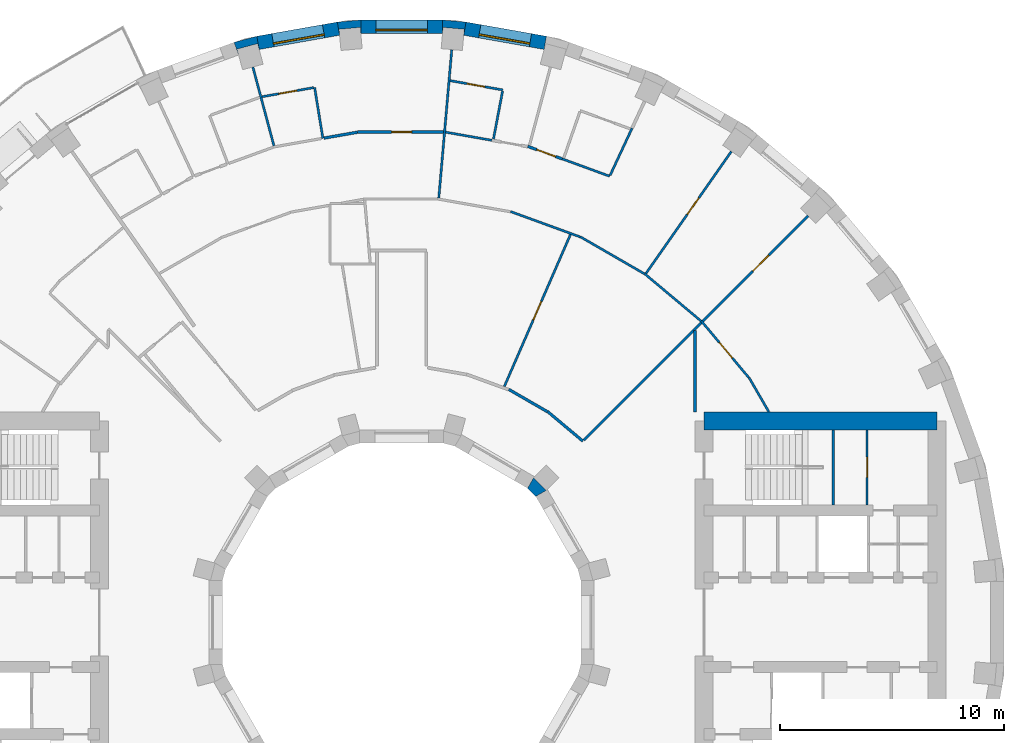
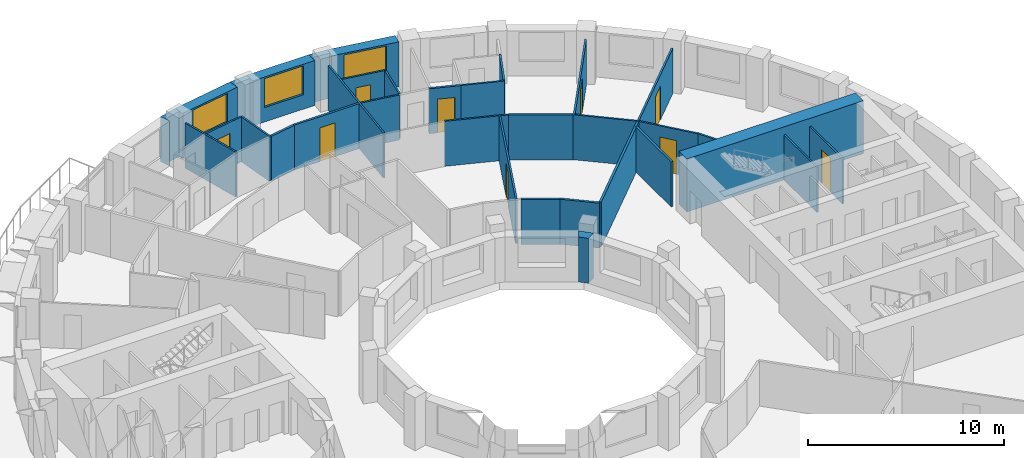
# One storey, part 12 of 14: 34 walls, 9 doors, 3 windows, 12 openings.
"""IFC4 building model written with IfcOpenShell, lengths in metres."""

from ifc_helpers import new_model, si_unit, direction, frame, frame_2d, origin, place, context, subcontext, project, spatial, polyline, rectangle, outline, extrude, material, layer, layer_set, type_object, element, fill, save


model = new_model("IFC4")

# Units and contexts
model_context = context("Model", 3, precision=1e-05, world=origin(), true_north=direction((0.0, 1.0)))
body_context = subcontext(model_context, "Body", "Model", "MODEL_VIEW")
ifc_project = project(units=[si_unit("LENGTHUNIT", "METRE"), si_unit("AREAUNIT", "SQUARE_METRE"), si_unit("VOLUMEUNIT", "CUBIC_METRE"), si_unit("PLANEANGLEUNIT", "RADIAN"), si_unit("MASSUNIT", "GRAM", prefix="KILO")], contexts=[model_context])

# Site, building, storey
site_placement = place(None, origin())
site = spatial("IfcSite", under=ifc_project, at=site_placement, CompositionType="ELEMENT")
building_placement = place(site_placement, origin())
building = spatial("IfcBuilding", under=site, at=building_placement, Name="Saqina Gate Tower", CompositionType="ELEMENT")
storey_placement = place(building_placement, frame((0.0, 0.0, 105.10009765625)))
storey = spatial("IfcBuildingStorey", under=building, at=storey_placement, Name="L29", CompositionType="ELEMENT", Elevation=105.10009765625)

# Walls
ifc_material_1 = material(Name="Brick masonry (buff)", Category="masonry")
wall_type_1 = type_object("IfcWallType", Name="BRICK PIER COPING BUFF", PredefinedType="SOLIDWALL", material=ifc_material_1)
wall_1_placement = place(storey_placement, origin())
element("IfcWall", 1, at=wall_1_placement, inside=storey, type_object=wall_type_1, Name="Pier cap L29 column 9", PredefinedType="SOLIDWALL", context=body_context, shape_type="SweptSolid", body=[
    extrude(outline(polyline([(2.87451171875, 26.805419921875), (1.823974609375, 26.897216796875), (1.823974609375, 26.29736328125), (1.847412109375, 26.565185546875), (2.793701171875, 26.482421875), (2.770263671875, 26.214599609375), (2.87451171875, 26.805419921875)])), origin(), (0.0, 0.0, 1.0), 2.7998046875),
])
wall_2_placement = place(storey_placement, origin())
element("IfcWall", 2, at=wall_2_placement, inside=storey, type_object=wall_type_1, Name="Pier cap L29 column 10", PredefinedType="SOLIDWALL", context=body_context, shape_type="SweptSolid", body=[
    extrude(outline(polyline([(-2.87451171875, 26.805419921875), (-2.770263671875, 26.214599609375), (-2.793701171875, 26.482421875), (-1.847412109375, 26.565185546875), (-1.823974609375, 26.29736328125), (-1.823974609375, 26.897216796875), (-2.87451171875, 26.805419921875)])), origin(), (0.0, 0.0, 1.0), 2.7998046875),
])
wall_3_placement = place(storey_placement, origin())
element("IfcWall", 3, at=wall_3_placement, inside=storey, type_object=wall_type_1, Name="Pier cap L29 column 11", PredefinedType="SOLIDWALL", context=body_context, shape_type="SweptSolid", body=[
    extrude(outline(polyline([(-6.466796875, 26.171875), (-7.485595703125, 25.89892578125), (-7.2802734375, 25.335205078125), (-7.349853515625, 25.5947265625), (-6.43212890625, 25.8408203125), (-6.36279296875, 25.5810546875), (-6.466796875, 26.171875)])), origin(), (0.0, 0.0, 1.0), 2.7998046875),
])

# Wall, opening, door
ifc_material_2 = material(Name="Gypsum board on steel studs", Category="steel")
ifc_layer_1 = layer(ifc_material_2, 0.10009765625)
ifc_layer_set_1 = layer_set([ifc_layer_1], Name="CORE PARTITION")
wall_type_2 = type_object("IfcWallType", Name="CORE PARTITION", PredefinedType="PARTITIONING", material=ifc_layer_set_1)
wall_4_placement = place(storey_placement, frame((20.782958984375, 5.25, 0.0), z_axis=(0.0, 0.0, 1.0), x_axis=(0.0, 1.0, 0.0)))
wall_4 = element("IfcWall", 4, at=wall_4_placement, inside=storey, type_object=wall_type_2, Name="L29-CP-E14", PredefinedType="PARTITIONING", context=body_context, shape_type="SweptSolid", body=[
    extrude(rectangle(XDim=3.35009765625, YDim=0.10009765625, at=frame_2d((1.675048828125, 0.0))), origin(), (0.0, 0.0, 1.0), 2.7998046875),
])
opening_1_placement = place(wall_4_placement, frame((1.22509765625, 0.0, 0.0)))
opening_1 = element("IfcOpeningElement", 5, at=opening_1_placement, cuts=wall_4, Name="Opening G08-D100", PredefinedType="OPENING", context=body_context, shape_type="SweptSolid", body=[
    extrude(rectangle(XDim=0.89990234375, YDim=2.10009765625, at=frame_2d((0.449951171875, 1.050048828125))), frame((0.0, 0.06201171875, 0.0), z_axis=(0.0, -1.0, 0.0), x_axis=(1.0, 0.0, 0.0)), (0.0, 0.0, 1.0), 0.1240234375),
])
ifc_material_3 = material(Name="Steel-framed fire door leaf, EI 60", Category="steel")
door_type_1 = type_object("IfcDoorType", Name="SERVICE ROOM DOOR 900", OperationType="SINGLE_SWING_LEFT", PredefinedType="DOOR", material=ifc_material_3)
door_1_placement = place(opening_1_placement, frame((0.89990234375, 0.0, 0.0), z_axis=(0.0, 0.0, 1.0), x_axis=(-1.0, 0.0, 0.0)))
door_1 = element("IfcDoor", 6, at=door_1_placement, inside=storey, type_object=door_type_1, Name="L29-CD-E11", OperationType="SINGLE_SWING_LEFT", OverallHeight=2.10009765625, OverallWidth=0.89990234375, PredefinedType="DOOR", context=body_context, shape_type="SweptSolid", body=[
    extrude(rectangle(XDim=0.89990234375, YDim=2.10009765625, at=frame_2d((0.449951171875, 1.050048828125))), frame((0.0, 0.02490234375, 0.0), z_axis=(0.0, -1.0, 0.0), x_axis=(1.0, 0.0, 0.0)), (0.0, 0.0, 1.0), 0.050048828125),
])
fill(opening_1, door_1)

# Wall, opening, window
ifc_material_4 = material(Name="Brick masonry (buff)", Category="masonry")
ifc_layer_2 = layer(ifc_material_4, 0.60009765625)
ifc_layer_set_2 = layer_set([ifc_layer_2], Name="FW-BRICK-BUFF")
wall_type_3 = type_object("IfcWallType", Name="FW-BRICK-BUFF", PredefinedType="SOLIDWALL", material=ifc_layer_set_2)
wall_5_placement = place(storey_placement, frame((6.414794921875, 25.87646484375, 0.0), z_axis=(0.0, 0.0, 1.0), x_axis=(-0.984803764455, 0.173670796382, 0.0)))
wall_5 = element("IfcWall", 7, at=wall_5_placement, inside=storey, type_object=wall_type_3, Name="Facade wall L29 facet 8", PredefinedType="SOLIDWALL", context=body_context, shape_type="SweptSolid", body=[
    extrude(rectangle(XDim=3.64794921875, YDim=0.60009765625, at=frame_2d((1.823974609375, 0.0))), origin(), (0.0, 0.0, 1.0), 2.7998046875),
])
opening_2_placement = place(wall_5_placement, frame((0.673828125, 0.0, 0.89990234375)))
opening_2 = element("IfcOpeningElement", 8, at=opening_2_placement, cuts=wall_5, Name="Opening G08-W06", PredefinedType="OPENING", context=body_context, shape_type="SweptSolid", body=[
    extrude(rectangle(XDim=2.300048828125, YDim=1.800048828125, at=frame_2d((1.14990234375, 0.89990234375))), frame((0.0, 0.31201171875, 0.0), z_axis=(0.0, -1.0, 0.0), x_axis=(1.0, 0.0, 0.0)), (0.0, 0.0, 1.0), 0.6240234375),
])
ifc_material_5 = material(Name="Aluminium glazing", Category="aluminium")
window_type = type_object("IfcWindowType", Name="WN-B", PartitioningType="SINGLE_PANEL", PredefinedType="WINDOW", material=ifc_material_5)
window_1_placement = place(opening_2_placement, origin())
window_1 = element("IfcWindow", 9, at=window_1_placement, inside=storey, type_object=window_type, Name="Window L29 facet 8", OverallHeight=1.800048828125, OverallWidth=2.300048828125, PartitioningType="SINGLE_PANEL", PredefinedType="WINDOW", context=body_context, shape_type="SweptSolid", body=[
    extrude(rectangle(XDim=2.300048828125, YDim=1.800048828125, at=frame_2d((1.14990234375, 0.89990234375))), frame((0.0, 0.179931640625, 0.0), z_axis=(0.0, -1.0, 0.0), x_axis=(1.0, 0.0, 0.0)), (0.0, 0.0, 1.0), 0.06005859375),
])
fill(opening_2, window_1)

wall_6_placement = place(storey_placement, frame((1.823974609375, 26.59716796875, 0.0), z_axis=(0.0, 0.0, 1.0), x_axis=(-1.0, 0.0, 0.0)))
wall_6 = element("IfcWall", 10, at=wall_6_placement, inside=storey, type_object=wall_type_3, Name="Facade wall L29 facet 9", PredefinedType="SOLIDWALL", context=body_context, shape_type="SweptSolid", body=[
    extrude(rectangle(XDim=3.64794921875, YDim=0.60009765625, at=frame_2d((1.823974609375, 0.0))), origin(), (0.0, 0.0, 1.0), 2.7998046875),
])
opening_3_placement = place(wall_6_placement, frame((0.673828125, 0.0, 0.89990234375)))
opening_3 = element("IfcOpeningElement", 11, at=opening_3_placement, cuts=wall_6, Name="Opening G08-W07", PredefinedType="OPENING", context=body_context, shape_type="SweptSolid", body=[
    extrude(rectangle(XDim=2.300048828125, YDim=1.800048828125, at=frame_2d((1.14990234375, 0.89990234375))), frame((0.0, 0.31201171875, 0.0), z_axis=(0.0, -1.0, 0.0), x_axis=(1.0, 0.0, 0.0)), (0.0, 0.0, 1.0), 0.6240234375),
])
window_2_placement = place(opening_3_placement, origin())
window_2 = element("IfcWindow", 12, at=window_2_placement, inside=storey, type_object=window_type, Name="Window L29 facet 9", OverallHeight=1.800048828125, OverallWidth=2.300048828125, PartitioningType="SINGLE_PANEL", PredefinedType="WINDOW", context=body_context, shape_type="SweptSolid", body=[
    extrude(rectangle(XDim=2.300048828125, YDim=1.800048828125, at=frame_2d((1.14990234375, 0.89990234375))), frame((0.0, 0.179931640625, 0.0), z_axis=(0.0, -1.0, 0.0), x_axis=(1.0, 0.0, 0.0)), (0.0, 0.0, 1.0), 0.06005859375),
])
fill(opening_3, window_2)

wall_7_placement = place(storey_placement, frame((-2.822265625, 26.510009765625, 0.0), z_axis=(0.0, 0.0, 1.0), x_axis=(-0.984803764455, -0.173670796382, 0.0)))
wall_7 = element("IfcWall", 13, at=wall_7_placement, inside=storey, type_object=wall_type_3, Name="Facade wall L29 facet 10", PredefinedType="SOLIDWALL", context=body_context, shape_type="SweptSolid", body=[
    extrude(rectangle(XDim=3.64794921875, YDim=0.60009765625, at=frame_2d((1.823974609375, 0.0))), origin(), (0.0, 0.0, 1.0), 2.7998046875),
])
opening_4_placement = place(wall_7_placement, frame((0.673828125, 0.0, 0.89990234375)))
opening_4 = element("IfcOpeningElement", 14, at=opening_4_placement, cuts=wall_7, Name="Opening G08-W08", PredefinedType="OPENING", context=body_context, shape_type="SweptSolid", body=[
    extrude(rectangle(XDim=2.300048828125, YDim=1.800048828125, at=frame_2d((1.14990234375, 0.89990234375))), frame((0.0, 0.31201171875, 0.0), z_axis=(0.0, -1.0, 0.0), x_axis=(1.0, 0.0, 0.0)), (0.0, 0.0, 1.0), 0.6240234375),
])
window_3_placement = place(opening_4_placement, origin())
window_3 = element("IfcWindow", 15, at=window_3_placement, inside=storey, type_object=window_type, Name="Window L29 facet 10", OverallHeight=1.800048828125, OverallWidth=2.300048828125, PartitioningType="SINGLE_PANEL", PredefinedType="WINDOW", context=body_context, shape_type="SweptSolid", body=[
    extrude(rectangle(XDim=2.300048828125, YDim=1.800048828125, at=frame_2d((1.14990234375, 0.89990234375))), frame((0.0, 0.179931640625, 0.0), z_axis=(0.0, -1.0, 0.0), x_axis=(1.0, 0.0, 0.0)), (0.0, 0.0, 1.0), 0.06005859375),
])
fill(opening_4, window_3)

# Walls
ifc_material_6 = material(Name="Gypsum board on steel studs, 100 mm", Category="steel")
ifc_layer_3 = layer(ifc_material_6, 0.10009765625)
ifc_layer_set_3 = layer_set([ifc_layer_3], Name="PARTITION 100")
wall_type_4 = type_object("IfcWallType", Name="PARTITION 100", PredefinedType="PARTITIONING", material=ifc_layer_set_3)
wall_8_placement = place(storey_placement, frame((-3.886962890625, 23.885009765625, 0.0), z_axis=(0.0, 0.0, 1.0), x_axis=(0.160403826344, -0.987051474085, 0.0)))
element("IfcWall", 16, at=wall_8_placement, inside=storey, type_object=wall_type_4, Name="PARTITION PW3-03", PredefinedType="PARTITIONING", context=body_context, shape_type="SweptSolid", body=[
    extrude(rectangle(XDim=2.2998046875, YDim=0.10009765625, at=frame_2d((1.14990234375, 0.0))), origin(), (0.0, 0.0, 1.0), 2.7998046875),
])
wall_9_placement = place(storey_placement, frame((-6.642333984375, 24.79052734375, 0.0), z_axis=(0.0, 0.0, 1.0), x_axis=(0.258373404153, -0.966045125254, 0.0)))
element("IfcWall", 17, at=wall_9_placement, inside=storey, type_object=wall_type_4, Name="PARTITION PW3-07", PredefinedType="PARTITIONING", context=body_context, shape_type="SweptSolid", body=[
    extrude(rectangle(XDim=3.634033203125, YDim=0.10009765625, at=frame_2d((1.81689453125, 0.0))), origin(), (0.0, 0.0, 1.0), 2.7998046875),
])
wall_10_placement = place(storey_placement, frame((15.5146484375, 10.925048828125, 0.0), z_axis=(0.0, 0.0, 1.0), x_axis=(0.500277597875, -0.865865073245, 0.0)))
element("IfcWall", 18, at=wall_10_placement, inside=storey, type_object=wall_type_4, Name="PARTITION PW3-16", PredefinedType="PARTITIONING", context=body_context, shape_type="SweptSolid", body=[
    extrude(rectangle(XDim=1.763671875, YDim=0.10009765625, at=frame_2d((0.8818359375, 0.0))), origin(), (0.0, 0.0, 1.0), 2.7998046875),
])

# Wall, opening, door
wall_11_placement = place(storey_placement, frame((13.38232421875, 13.453857421875, 0.0), z_axis=(0.0, 0.0, 1.0), x_axis=(0.642584306873, -0.766214988473, 0.0)))
wall_11 = element("IfcWall", 19, at=wall_11_placement, inside=storey, type_object=wall_type_4, Name="PARTITION PW3-20", PredefinedType="PARTITIONING", context=body_context, shape_type="SweptSolid", body=[
    extrude(rectangle(XDim=3.3076171875, YDim=0.10009765625, at=frame_2d((1.65380859375, 0.0))), origin(), (0.0, 0.0, 1.0), 2.7998046875),
])
opening_5_placement = place(wall_11_placement, frame((1.25439453125, 0.0, 0.0)))
opening_5 = element("IfcOpeningElement", 20, at=opening_5_placement, cuts=wall_11, Name="Opening G08-D01", PredefinedType="OPENING", context=body_context, shape_type="SweptSolid", body=[
    extrude(rectangle(XDim=0.89990234375, YDim=2.10009765625, at=frame_2d((0.449951171875, 1.050048828125))), frame((0.0, 0.06201171875, 0.0), z_axis=(0.0, -1.0, 0.0), x_axis=(1.0, 0.0, 0.0)), (0.0, 0.0, 1.0), 0.1240234375),
])
ifc_material_7 = material(Name="Timber door leaf, 900 mm", Category="wood")
door_type_2 = type_object("IfcDoorType", Name="DOOR 900 TIMBER", OperationType="SINGLE_SWING_LEFT", PredefinedType="DOOR", material=ifc_material_7)
door_2_placement = place(opening_5_placement, origin())
door_2 = element("IfcDoor", 21, at=door_2_placement, inside=storey, type_object=door_type_2, Name="DOOR G08-D01", OperationType="SINGLE_SWING_RIGHT", OverallHeight=2.10009765625, OverallWidth=0.89990234375, PredefinedType="DOOR", context=body_context, shape_type="SweptSolid", body=[
    extrude(rectangle(XDim=0.89990234375, YDim=2.10009765625, at=frame_2d((0.449951171875, 1.050048828125))), frame((0.0, 0.02490234375, 0.0), z_axis=(0.0, -1.0, 0.0), x_axis=(1.0, 0.0, 0.0)), (0.0, 0.0, 1.0), 0.050048828125),
])
fill(opening_5, door_2)

# Walls
wall_12_placement = place(storey_placement, frame((10.842041015625, 15.572509765625, 0.0), z_axis=(0.0, 0.0, 1.0), x_axis=(0.76624546285, -0.642547967595, 0.0)))
element("IfcWall", 22, at=wall_12_placement, inside=storey, type_object=wall_type_4, Name="PARTITION PW3-26", PredefinedType="PARTITIONING", context=body_context, shape_type="SweptSolid", body=[
    extrude(rectangle(XDim=3.307861328125, YDim=0.10009765625, at=frame_2d((1.65380859375, 0.0))), origin(), (0.0, 0.0, 1.0), 2.7998046875),
])
wall_13_placement = place(storey_placement, frame((7.97412109375, 17.219482421875, 0.0), z_axis=(0.0, 0.0, 1.0), x_axis=(0.865857256379, -0.500291126821, 0.0)))
element("IfcWall", 23, at=wall_13_placement, inside=storey, type_object=wall_type_4, Name="PARTITION PW3-31", PredefinedType="PARTITIONING", context=body_context, shape_type="SweptSolid", body=[
    extrude(rectangle(XDim=3.30712890625, YDim=0.10009765625, at=frame_2d((1.653564453125, 0.0))), origin(), (0.0, 0.0, 1.0), 2.7998046875),
])
wall_14_placement = place(storey_placement, frame((7.171630859375, 20.69482421875, 0.0), z_axis=(0.0, 0.0, 1.0), x_axis=(0.939171474452, -0.343448601069, 0.0)))
element("IfcWall", 24, at=wall_14_placement, inside=storey, type_object=wall_type_4, Name="PARTITION PW3-32", PredefinedType="PARTITIONING", context=body_context, shape_type="SweptSolid", body=[
    extrude(rectangle(XDim=2.251953125, YDim=0.10009765625, at=frame_2d((1.1259765625, 0.0))), origin(), (0.0, 0.0, 1.0), 2.7998046875),
])
wall_15_placement = place(storey_placement, frame((4.862548828125, 18.34375, 0.0), z_axis=(0.0, 0.0, 1.0), x_axis=(0.939551875713, -0.342406589955, 0.0)))
element("IfcWall", 25, at=wall_15_placement, inside=storey, type_object=wall_type_4, Name="PARTITION PW3-35", PredefinedType="PARTITIONING", context=body_context, shape_type="SweptSolid", body=[
    extrude(rectangle(XDim=3.308349609375, YDim=0.10009765625, at=frame_2d((1.654296875, 0.0))), origin(), (0.0, 0.0, 1.0), 2.7998046875),
])
wall_16_placement = place(storey_placement, frame((1.96533203125, 21.888427734375, 0.0), z_axis=(0.0, 0.0, 1.0), x_axis=(0.984784733711, -0.173778676048, 0.0)))
element("IfcWall", 26, at=wall_16_placement, inside=storey, type_object=wall_type_4, Name="PARTITION PW3-40", PredefinedType="PARTITIONING", context=body_context, shape_type="SweptSolid", body=[
    extrude(rectangle(XDim=2.091796875, YDim=0.10009765625, at=frame_2d((1.0458984375, 0.0))), origin(), (0.0, 0.0, 1.0), 2.7998046875),
])

# Wall, opening, door
wall_17_placement = place(storey_placement, frame((2.166259765625, 24.188232421875, 0.0), z_axis=(0.0, 0.0, 1.0), x_axis=(0.984810328334, -0.173633571655, 0.0)))
wall_17 = element("IfcWall", 27, at=wall_17_placement, inside=storey, type_object=wall_type_4, Name="PARTITION PW3-41", PredefinedType="PARTITIONING", context=body_context, shape_type="SweptSolid", body=[
    extrude(rectangle(XDim=2.385986328125, YDim=0.10009765625, at=frame_2d((1.19287109375, 0.0))), origin(), (0.0, 0.0, 1.0), 2.7998046875),
])
opening_6_placement = place(wall_17_placement, frame((0.76806640625, 0.0, 0.0)))
opening_6 = element("IfcOpeningElement", 28, at=opening_6_placement, cuts=wall_17, Name="Opening G08-D08", PredefinedType="OPENING", context=body_context, shape_type="SweptSolid", body=[
    extrude(rectangle(XDim=0.800048828125, YDim=2.10009765625, at=frame_2d((0.39990234375, 1.050048828125))), frame((0.0, 0.06201171875, 0.0), z_axis=(0.0, -1.0, 0.0), x_axis=(1.0, 0.0, 0.0)), (0.0, 0.0, 1.0), 0.1240234375),
])
ifc_material_8 = material(Name="Timber door leaf, 800 mm", Category="wood")
door_type_3 = type_object("IfcDoorType", Name="DOOR 800 TIMBER", OperationType="SINGLE_SWING_LEFT", PredefinedType="DOOR", material=ifc_material_8)
door_3_placement = place(opening_6_placement, origin())
door_3 = element("IfcDoor", 29, at=door_3_placement, inside=storey, type_object=door_type_3, Name="DOOR G08-D08", OperationType="SINGLE_SWING_LEFT", OverallHeight=2.10009765625, OverallWidth=0.800048828125, PredefinedType="DOOR", context=body_context, shape_type="SweptSolid", body=[
    extrude(rectangle(XDim=0.800048828125, YDim=2.10009765625, at=frame_2d((0.39990234375, 1.050048828125))), frame((0.0, 0.02490234375, 0.0), z_axis=(0.0, -1.0, 0.0), x_axis=(1.0, 0.0, 0.0)), (0.0, 0.0, 1.0), 0.050048828125),
])
fill(opening_6, door_3)

wall_18_placement = place(storey_placement, frame((-6.23779296875, 23.470703125, 0.0), z_axis=(0.0, 0.0, 1.0), x_axis=(0.984817208654, 0.173594543518, 0.0)))
wall_18 = element("IfcWall", 30, at=wall_18_placement, inside=storey, type_object=wall_type_4, Name="PARTITION PW3-53", PredefinedType="PARTITIONING", context=body_context, shape_type="SweptSolid", body=[
    extrude(rectangle(XDim=2.3359375, YDim=0.10009765625, at=frame_2d((1.16796875, 0.0))), origin(), (0.0, 0.0, 1.0), 2.7998046875),
])
opening_7_placement = place(wall_18_placement, frame((0.767578125, 0.0, 0.0)))
opening_7 = element("IfcOpeningElement", 31, at=opening_7_placement, cuts=wall_18, Name="Opening G08-D12", PredefinedType="OPENING", context=body_context, shape_type="SweptSolid", body=[
    extrude(rectangle(XDim=0.800048828125, YDim=2.10009765625, at=frame_2d((0.39990234375, 1.050048828125))), frame((0.0, 0.06201171875, 0.0), z_axis=(0.0, -1.0, 0.0), x_axis=(1.0, 0.0, 0.0)), (0.0, 0.0, 1.0), 0.1240234375),
])
door_4_placement = place(opening_7_placement, origin())
door_4 = element("IfcDoor", 32, at=door_4_placement, inside=storey, type_object=door_type_3, Name="DOOR G08-D12", OperationType="SINGLE_SWING_LEFT", OverallHeight=2.10009765625, OverallWidth=0.800048828125, PredefinedType="DOOR", context=body_context, shape_type="SweptSolid", body=[
    extrude(rectangle(XDim=0.800048828125, YDim=2.10009765625, at=frame_2d((0.39990234375, 1.050048828125))), frame((0.0, 0.02490234375, 0.0), z_axis=(0.0, -1.0, 0.0), x_axis=(1.0, 0.0, 0.0)), (0.0, 0.0, 1.0), 0.050048828125),
])
fill(opening_7, door_4)

wall_19_placement = place(storey_placement, frame((13.450439453125, 13.450439453125, 0.0), z_axis=(0.0, 0.0, 1.0), x_axis=(0.707106781187, 0.707106781187, 0.0)))
wall_19 = element("IfcWall", 33, at=wall_19_placement, inside=storey, type_object=wall_type_4, Name="PARTITION PW3-72", PredefinedType="PARTITIONING", context=body_context, shape_type="SweptSolid", body=[
    extrude(rectangle(XDim=6.643310546875, YDim=0.10009765625, at=frame_2d((3.32177734375, 0.0))), origin(), (0.0, 0.0, 1.0), 2.7998046875),
])
opening_8_placement = place(wall_19_placement, frame((3.163818359375, 0.0, 0.0)))
opening_8 = element("IfcOpeningElement", 34, at=opening_8_placement, cuts=wall_19, Name="Opening G08-D02", PredefinedType="OPENING", context=body_context, shape_type="SweptSolid", body=[
    extrude(rectangle(XDim=1.0, YDim=2.10009765625, at=frame_2d((0.5, 1.050048828125))), frame((0.0, 0.06201171875, 0.0), z_axis=(0.0, -1.0, 0.0), x_axis=(1.0, 0.0, 0.0)), (0.0, 0.0, 1.0), 0.1240234375),
])
ifc_material_9 = material(Name="Timber door leaf, 1000 mm", Category="wood")
door_type_4 = type_object("IfcDoorType", Name="DOOR 1000 TIMBER", OperationType="SINGLE_SWING_LEFT", PredefinedType="DOOR", material=ifc_material_9)
door_5_placement = place(opening_8_placement, frame((1.0, 0.0, 0.0), z_axis=(0.0, 0.0, 1.0), x_axis=(-1.0, 0.0, 0.0)))
door_5 = element("IfcDoor", 35, at=door_5_placement, inside=storey, type_object=door_type_4, Name="DOOR G08-D02", OperationType="SINGLE_SWING_LEFT", OverallHeight=2.10009765625, OverallWidth=1.0, PredefinedType="DOOR", context=body_context, shape_type="SweptSolid", body=[
    extrude(rectangle(XDim=1.0, YDim=2.10009765625, at=frame_2d((0.5, 1.050048828125))), frame((0.0, 0.02490234375, 0.0), z_axis=(0.0, -1.0, 0.0), x_axis=(1.0, 0.0, 0.0)), (0.0, 0.0, 1.0), 0.050048828125),
])
fill(opening_8, door_5)

wall_20_placement = place(storey_placement, frame((10.90966796875, 15.5810546875, 0.0), z_axis=(0.0, 0.0, 1.0), x_axis=(0.573558519574, 0.819164589459, 0.0)))
wall_20 = element("IfcWall", 36, at=wall_20_placement, inside=storey, type_object=wall_type_4, Name="PARTITION PW3-78", PredefinedType="PARTITIONING", context=body_context, shape_type="SweptSolid", body=[
    extrude(rectangle(XDim=6.64404296875, YDim=0.10009765625, at=frame_2d((3.322021484375, 0.0))), origin(), (0.0, 0.0, 1.0), 2.7998046875),
])
opening_9_placement = place(wall_20_placement, frame((3.214599609375, 0.0, 0.0)))
opening_9 = element("IfcOpeningElement", 37, at=opening_9_placement, cuts=wall_20, Name="Opening G08-D03", PredefinedType="OPENING", context=body_context, shape_type="SweptSolid", body=[
    extrude(rectangle(XDim=0.89990234375, YDim=2.10009765625, at=frame_2d((0.449951171875, 1.050048828125))), frame((0.0, 0.06201171875, 0.0), z_axis=(0.0, -1.0, 0.0), x_axis=(1.0, 0.0, 0.0)), (0.0, 0.0, 1.0), 0.1240234375),
])
door_6_placement = place(opening_9_placement, origin())
door_6 = element("IfcDoor", 38, at=door_6_placement, inside=storey, type_object=door_type_2, Name="DOOR G08-D03", OperationType="SINGLE_SWING_RIGHT", OverallHeight=2.10009765625, OverallWidth=0.89990234375, PredefinedType="DOOR", context=body_context, shape_type="SweptSolid", body=[
    extrude(rectangle(XDim=0.89990234375, YDim=2.10009765625, at=frame_2d((0.449951171875, 1.050048828125))), frame((0.0, 0.02490234375, 0.0), z_axis=(0.0, -1.0, 0.0), x_axis=(1.0, 0.0, 0.0)), (0.0, 0.0, 1.0), 0.050048828125),
])
fill(opening_9, door_6)

# Wall
wall_21_placement = place(storey_placement, frame((9.31103515625, 19.96630859375, 0.0), z_axis=(0.0, 0.0, 1.0), x_axis=(0.422300754366, 0.906455775458, 0.0)))
element("IfcWall", 39, at=wall_21_placement, inside=storey, type_object=wall_type_4, Name="PARTITION PW3-84", PredefinedType="PARTITIONING", context=body_context, shape_type="SweptSolid", body=[
    extrude(rectangle(XDim=2.30908203125, YDim=0.10009765625, at=frame_2d((1.154541015625, 0.0))), origin(), (0.0, 0.0, 1.0), 2.7998046875),
])

# Wall, opening, door
wall_22_placement = place(storey_placement, frame((4.583740234375, 10.529296875, 0.0), z_axis=(0.0, 0.0, 1.0), x_axis=(0.39900110087, 0.916950446592, 0.0)))
wall_22 = element("IfcWall", 40, at=wall_22_placement, inside=storey, type_object=wall_type_4, Name="PARTITION PW3-85", PredefinedType="PARTITIONING", context=body_context, shape_type="SweptSolid", body=[
    extrude(rectangle(XDim=7.4013671875, YDim=0.10009765625, at=frame_2d((3.70068359375, 0.0))), origin(), (0.0, 0.0, 1.0), 2.7998046875),
])
opening_10_placement = place(wall_22_placement, frame((3.243408203125, 0.0, 0.0)))
opening_10 = element("IfcOpeningElement", 41, at=opening_10_placement, cuts=wall_22, Name="Opening G08-D04", PredefinedType="OPENING", context=body_context, shape_type="SweptSolid", body=[
    extrude(rectangle(XDim=0.89990234375, YDim=2.10009765625, at=frame_2d((0.449951171875, 1.050048828125))), frame((0.0, 0.06201171875, 0.0), z_axis=(0.0, -1.0, 0.0), x_axis=(1.0, 0.0, 0.0)), (0.0, 0.0, 1.0), 0.1240234375),
])
door_7_placement = place(opening_10_placement, origin())
door_7 = element("IfcDoor", 42, at=door_7_placement, inside=storey, type_object=door_type_2, Name="DOOR G08-D04", OperationType="SINGLE_SWING_LEFT", OverallHeight=2.10009765625, OverallWidth=0.89990234375, PredefinedType="DOOR", context=body_context, shape_type="SweptSolid", body=[
    extrude(rectangle(XDim=0.89990234375, YDim=2.10009765625, at=frame_2d((0.449951171875, 1.050048828125))), frame((0.0, 0.02490234375, 0.0), z_axis=(0.0, -1.0, 0.0), x_axis=(1.0, 0.0, 0.0)), (0.0, 0.0, 1.0), 0.050048828125),
])
fill(opening_10, door_7)

# Walls
wall_23_placement = place(storey_placement, frame((4.0986328125, 21.575439453125, 0.0), z_axis=(0.0, 0.0, 1.0), x_axis=(0.186471082638, 0.982460449759, 0.0)))
element("IfcWall", 43, at=wall_23_placement, inside=storey, type_object=wall_type_4, Name="PARTITION PW3-91", PredefinedType="PARTITIONING", context=body_context, shape_type="SweptSolid", body=[
    extrude(rectangle(XDim=2.187744140625, YDim=0.10009765625, at=frame_2d((1.09375, 0.0))), origin(), (0.0, 0.0, 1.0), 2.7998046875),
])
wall_24_placement = place(storey_placement, frame((1.658447265625, 18.94873046875, 0.0), z_axis=(0.0, 0.0, 1.0), x_axis=(0.087052988713, 0.996203682565, 0.0)))
element("IfcWall", 44, at=wall_24_placement, inside=storey, type_object=wall_type_4, Name="PARTITION PW3-92", PredefinedType="PARTITIONING", context=body_context, shape_type="SweptSolid", body=[
    extrude(rectangle(XDim=6.643798828125, YDim=0.10009765625, at=frame_2d((3.32177734375, 0.0))), origin(), (0.0, 0.0, 1.0), 2.7998046875),
])
ifc_material_10 = material(Name="Gypsum board on steel studs, 125 mm, fire rated", Category="steel")
ifc_layer_4 = layer(ifc_material_10, 0.125)
ifc_layer_set_4 = layer_set([ifc_layer_4], Name="PARTITION EI 30 125")
wall_type_5 = type_object("IfcWallType", Name="PARTITION EI 30 125", PredefinedType="PARTITIONING", material=ifc_layer_set_4)
wall_25_placement = place(storey_placement, frame((6.515380859375, 9.414794921875, 0.0), z_axis=(0.0, 0.0, 1.0), x_axis=(0.766097328455, -0.642724578131, 0.0)))
element("IfcWall", 45, at=wall_25_placement, inside=storey, type_object=wall_type_5, Name="PARTITION PW1-14", PredefinedType="PARTITIONING", context=body_context, shape_type="SweptSolid", body=[
    extrude(rectangle(XDim=2.05810546875, YDim=0.125, at=frame_2d((1.029052734375, 0.0))), origin(), (0.0, 0.0, 1.0), 2.7998046875),
])
wall_26_placement = place(storey_placement, frame((4.781005859375, 10.40283203125, 0.0), z_axis=(0.0, 0.0, 1.0), x_axis=(0.866173368732, -0.499743629573, 0.0)))
element("IfcWall", 46, at=wall_26_placement, inside=storey, type_object=wall_type_5, Name="PARTITION PW1-17", PredefinedType="PARTITIONING", context=body_context, shape_type="SweptSolid", body=[
    extrude(rectangle(XDim=1.99609375, YDim=0.125, at=frame_2d((0.998046875, 0.0))), origin(), (0.0, 0.0, 1.0), 2.7998046875),
])

# Wall, opening, door
wall_27_placement = place(storey_placement, frame((5.62939453125, 21.253662109375, 0.0), z_axis=(0.0, 0.0, 1.0), x_axis=(0.939793423488, -0.341743063087, 0.0)))
wall_27 = element("IfcWall", 47, at=wall_27_placement, inside=storey, type_object=wall_type_5, Name="PARTITION PW1-21", PredefinedType="PARTITIONING", context=body_context, shape_type="SweptSolid", body=[
    extrude(rectangle(XDim=1.64013671875, YDim=0.125, at=frame_2d((0.820068359375, 0.0))), origin(), (0.0, 0.0, 1.0), 2.7998046875),
])
opening_11_placement = place(wall_27_placement, frame((0.427490234375, 0.0, 0.0)))
opening_11 = element("IfcOpeningElement", 48, at=opening_11_placement, cuts=wall_27, Name="Opening G08-D06", PredefinedType="OPENING", context=body_context, shape_type="SweptSolid", body=[
    extrude(rectangle(XDim=0.89990234375, YDim=2.10009765625, at=frame_2d((0.449951171875, 1.050048828125))), frame((0.0, 0.074462890625, 0.0), z_axis=(0.0, -1.0, 0.0), x_axis=(1.0, 0.0, 0.0)), (0.0, 0.0, 1.0), 0.14892578125),
])
ifc_material_11 = material(Name="Fire door leaf EI 30, 900 mm")
door_type_5 = type_object("IfcDoorType", Name="DOOR 900 EI 30", OperationType="SINGLE_SWING_LEFT", PredefinedType="DOOR", material=ifc_material_11)
door_8_placement = place(opening_11_placement, frame((0.89990234375, 0.0, 0.0), z_axis=(0.0, 0.0, 1.0), x_axis=(-1.0, 0.0, 0.0)))
door_8 = element("IfcDoor", 49, at=door_8_placement, inside=storey, type_object=door_type_5, Name="DOOR G08-D06", OperationType="SINGLE_SWING_RIGHT", OverallHeight=2.10009765625, OverallWidth=0.89990234375, PredefinedType="DOOR", context=body_context, shape_type="SweptSolid", body=[
    extrude(rectangle(XDim=0.89990234375, YDim=2.10009765625, at=frame_2d((0.449951171875, 1.050048828125))), frame((0.0, 0.02490234375, 0.0), z_axis=(0.0, -1.0, 0.0), x_axis=(1.0, 0.0, 0.0)), (0.0, 0.0, 1.0), 0.050048828125),
])
fill(opening_11, door_8)

wall_28_placement = place(storey_placement, frame((-1.9794921875, 21.89697265625, 0.0), z_axis=(0.0, 0.0, 1.0), x_axis=(1.0, 0.0, 0.0)))
wall_28 = element("IfcWall", 50, at=wall_28_placement, inside=storey, type_object=wall_type_5, Name="PARTITION PW1-29", PredefinedType="PARTITIONING", context=body_context, shape_type="SweptSolid", body=[
    extrude(rectangle(XDim=3.844482421875, YDim=0.125, at=frame_2d((1.92236328125, 0.0))), origin(), (0.0, 0.0, 1.0), 2.7998046875),
])
opening_12_placement = place(wall_28_placement, frame((1.529052734375, 0.0, 0.0)))
opening_12 = element("IfcOpeningElement", 51, at=opening_12_placement, cuts=wall_28, Name="Opening G08-D09", PredefinedType="OPENING", context=body_context, shape_type="SweptSolid", body=[
    extrude(rectangle(XDim=0.89990234375, YDim=2.10009765625, at=frame_2d((0.449951171875, 1.050048828125))), frame((0.0, 0.074462890625, 0.0), z_axis=(0.0, -1.0, 0.0), x_axis=(1.0, 0.0, 0.0)), (0.0, 0.0, 1.0), 0.14892578125),
])
door_9_placement = place(opening_12_placement, frame((0.89990234375, 0.0, 0.0), z_axis=(0.0, 0.0, 1.0), x_axis=(-1.0, 0.0, 0.0)))
door_9 = element("IfcDoor", 52, at=door_9_placement, inside=storey, type_object=door_type_5, Name="DOOR G08-D09", OperationType="SINGLE_SWING_LEFT", OverallHeight=2.10009765625, OverallWidth=0.89990234375, PredefinedType="DOOR", context=body_context, shape_type="SweptSolid", body=[
    extrude(rectangle(XDim=0.89990234375, YDim=2.10009765625, at=frame_2d((0.449951171875, 1.050048828125))), frame((0.0, 0.02490234375, 0.0), z_axis=(0.0, -1.0, 0.0), x_axis=(1.0, 0.0, 0.0)), (0.0, 0.0, 1.0), 0.050048828125),
])
fill(opening_12, door_9)

# Walls
wall_29_placement = place(storey_placement, frame((-3.46875, 21.62353515625, 0.0), z_axis=(0.0, 0.0, 1.0), x_axis=(0.984977719449, 0.172681476106, 0.0)))
element("IfcWall", 53, at=wall_29_placement, inside=storey, type_object=wall_type_5, Name="PARTITION PW1-30", PredefinedType="PARTITIONING", context=body_context, shape_type="SweptSolid", body=[
    extrude(rectangle(XDim=1.51416015625, YDim=0.125, at=frame_2d((0.757080078125, 0.0))), origin(), (0.0, 0.0, 1.0), 2.7998046875),
])
wall_30_placement = place(storey_placement, frame((8.13623046875, 8.13623046875, 0.0), z_axis=(0.0, 0.0, 1.0), x_axis=(0.707106781187, 0.707106781187, 0.0)))
element("IfcWall", 54, at=wall_30_placement, inside=storey, type_object=wall_type_5, Name="PARTITION PW1-47", PredefinedType="PARTITIONING", context=body_context, shape_type="SweptSolid", body=[
    extrude(rectangle(XDim=7.4150390625, YDim=0.125, at=frame_2d((3.70751953125, 0.0))), origin(), (0.0, 0.0, 1.0), 2.7998046875),
])
wall_31_placement = place(storey_placement, frame((13.10009765625, 9.39990234375, 0.0), z_axis=(0.0, 0.0, 1.0), x_axis=(0.0, 1.0, 0.0)))
element("IfcWall", 55, at=wall_31_placement, inside=storey, type_object=wall_type_5, Name="PARTITION PW1-56", PredefinedType="PARTITIONING", context=body_context, shape_type="SweptSolid", body=[
    extrude(rectangle(XDim=3.6376953125, YDim=0.125, at=frame_2d((1.81884765625, 0.0))), origin(), (0.0, 0.0, 1.0), 2.7998046875),
])
ifc_material_12 = material(Name="Autoclaved aerated concrete block", Category="concrete")
ifc_layer_5 = layer(ifc_material_12, 0.10009765625)
ifc_layer_set_5 = layer_set([ifc_layer_5], Name="STAIR ENCLOSURE WALL")
wall_type_6 = type_object("IfcWallType", Name="STAIR ENCLOSURE WALL", PredefinedType="PARTITIONING", material=ifc_layer_set_5)
wall_32_placement = place(storey_placement, frame((19.27001953125, 5.25, 0.0), z_axis=(0.0, 0.0, 1.0), x_axis=(0.0, 1.0, 0.0)))
element("IfcWall", 56, at=wall_32_placement, inside=storey, type_object=wall_type_6, Name="L29-CP-E13", PredefinedType="PARTITIONING", context=body_context, shape_type="SweptSolid", body=[
    extrude(rectangle(XDim=3.35009765625, YDim=0.10009765625, at=frame_2d((1.675048828125, 0.0))), origin(), (0.0, 0.0, 1.0), 2.7998046875),
])
ifc_material_13 = material(Name="Concrete C70/85", Category="concrete")
ifc_layer_6 = layer(ifc_material_13, 0.800048828125)
ifc_layer_set_6 = layer_set([ifc_layer_6], Name="Concrete C70/85")
wall_type_7 = type_object("IfcWallType", Name="STR-CORE WALL-B-O", PredefinedType="SHEAR", material=ifc_layer_set_6)
wall_33_placement = place(storey_placement, frame((13.5, 9.0, 0.0), z_axis=(0.0, 0.0, 1.0), x_axis=(1.0, 0.0, 0.0)))
element("IfcWall", 57, at=wall_33_placement, inside=storey, type_object=wall_type_7, Name="CORE WALL L29 E-NE", PredefinedType="SHEAR", context=body_context, shape_type="SweptSolid", body=[
    extrude(rectangle(XDim=10.39990234375, YDim=0.800048828125, at=frame_2d((5.199951171875, 0.0))), origin(), (0.0, 0.0, 1.0), 3.2998046875),
])
ifc_material_14 = material(Name="Glazed ceramic tile", Category="ceramic")
wall_type_8 = type_object("IfcWallType", Name="TILE PIER COPING", PredefinedType="SOLIDWALL", material=ifc_material_14)
wall_34_placement = place(storey_placement, origin())
element("IfcWall", 58, at=wall_34_placement, inside=storey, type_object=wall_type_8, Name="Well pier cap L29 column 2", PredefinedType="SOLIDWALL", context=body_context, shape_type="SweptSolid", body=[
    extrude(outline(polyline([(5.891845703125, 6.45751953125), (5.622802734375, 5.991455078125), (5.991455078125, 5.622802734375), (6.45751953125, 5.891845703125), (5.891845703125, 6.45751953125)])), origin(), (0.0, 0.0, 1.0), 2.7998046875),
])

save(model, "model.ifc")
